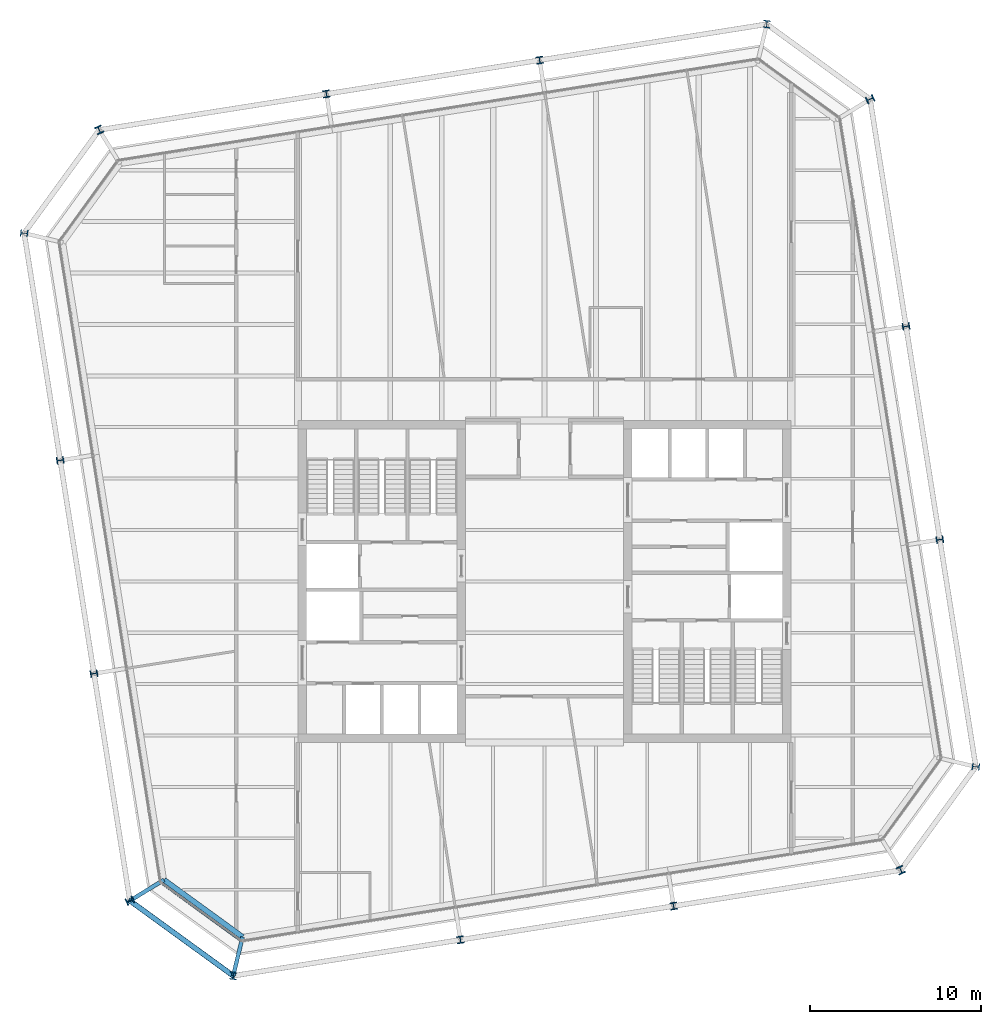
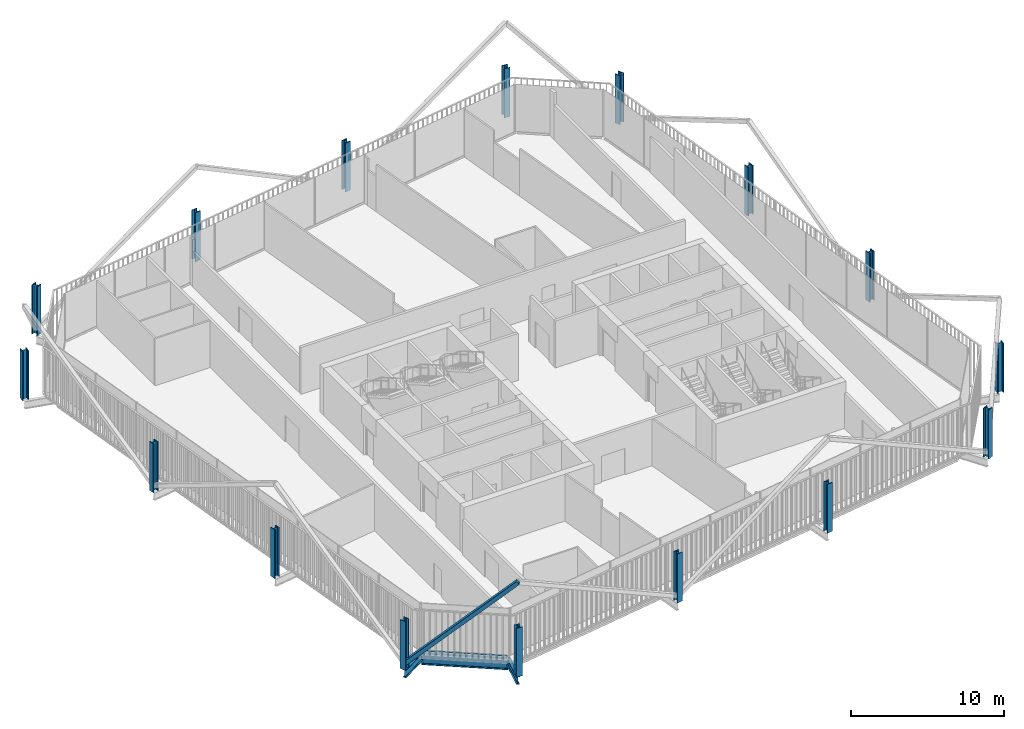
# One storey, part 1 of 21: 16 columns, 3 beams, 2 members, 1 element without a shape of its own.
"""IFC4 building model written with IfcOpenShell, lengths in metres."""

from ifc_helpers import new_model, si_unit, direction, frame, origin, origin_2d, place, context, subcontext, project, spatial, rectangle, hollow_rectangle, i_section, extrude, material, layer, layer_set, material_profile, profile_set, type_object, element, aggregate, save


model = new_model("IFC4")

# Units and contexts
model_context = context("Model", 3, precision=1e-05, world=origin(), true_north=direction((0.0, 1.0)))
body_context = subcontext(model_context, "Body", "Model", "MODEL_VIEW")
ifc_project = project(units=[si_unit("LENGTHUNIT", "METRE"), si_unit("AREAUNIT", "SQUARE_METRE"), si_unit("VOLUMEUNIT", "CUBIC_METRE"), si_unit("PLANEANGLEUNIT", "RADIAN"), si_unit("MASSUNIT", "GRAM", prefix="KILO")], contexts=[model_context])

# Site, building, storey
site_placement = place(None, origin())
site = spatial("IfcSite", under=ifc_project, at=site_placement, CompositionType="ELEMENT")
building_placement = place(site_placement, origin())
building = spatial("IfcBuilding", under=site, at=building_placement, Name="Millrace Tower", CompositionType="ELEMENT")
storey_placement = place(building_placement, frame((0.0, 0.0, 255.199951171875)))
storey = spatial("IfcBuildingStorey", under=building, at=storey_placement, Name="L58", CompositionType="ELEMENT", Elevation=255.199951171875)

# Columns
ifc_material_1 = material(Name="Steel ASTM A913 Grade 65", Category="steel")
ifc_material_profile_1 = material_profile(ifc_material_1, i_section(OverallWidth=0.408935546875, OverallDepth=0.424072265625, WebThickness=0.03271484375, FlangeThickness=0.052490234375, FilletRadius=0.01513671875, at=origin_2d()))
ifc_profile_set_1 = profile_set([ifc_material_profile_1], Name="Steel ASTM A913 Grade 65")
column_type_1 = type_object("IfcColumnType", Name="Exoskeleton column W14x283", PredefinedType="COLUMN", material=ifc_profile_set_1)
for number, where, z_axis, x_axis, name in (
    (1, (-4.91162109375, -20.927734375, 0.0), (0.0, 0.0, 1.0), (0.987688341035, 0.156434462265, 0.0), "COL-D-L58-X03"),
    (2, (7.533203125, -18.956787109375, 0.0), (0.0, 0.0, 1.0), (0.987688341035, 0.156434462265, 0.0), "COL-D-L58-X04"),
    (3, (23.07763671875, 2.4384765625, 0.0), (0.0, 0.0, 1.0), (-0.156434462265, 0.987688341035, 0.0), "COL-D-L58-X07"),
    (4, (21.106689453125, 14.88330078125, 0.0), (0.0, 0.0, 1.0), (-0.156434462265, 0.987688341035, 0.0), "COL-D-L58-X08"),
    (5, (-0.288330078125, 30.427734375, 0.0), (0.0, 0.0, 1.0), (-0.987688341035, -0.156434462265, 0.0), "COL-D-L58-X11"),
    (6, (-12.7333984375, 28.456787109375, 0.0), (0.0, 0.0, 1.0), (-0.987688341035, -0.156434462265, 0.0), "COL-D-L58-X12"),
    (7, (-28.27783203125, 7.0615234375, 0.0), (0.0, 0.0, 1.0), (0.156434462265, -0.987688341035, 0.0), "COL-D-L58-X15"),
    (8, (-26.306640625, -5.38330078125, 0.0), (0.0, 0.0, 1.0), (0.156434462265, -0.987688341035, 0.0), "COL-D-L58-X16"),
):
    element("IfcColumn", number, at=place(storey_placement, frame(where, z_axis=z_axis, x_axis=x_axis)), inside=storey, type_object=column_type_1, Name=name, PredefinedType="COLUMN", context=body_context, shape_type="SweptSolid", body=[
        extrude(i_section(OverallWidth=0.408935546875, OverallDepth=0.424072265625, WebThickness=0.03271484375, FlangeThickness=0.052490234375, FilletRadius=0.01513671875, at=origin_2d()), origin(), (0.0, 0.0, 1.0), 3.900146484375),
    ])
ifc_material_2 = material(Name="Steel ASTM A913 Grade 65", Category="steel")
ifc_material_profile_2 = material_profile(ifc_material_2, i_section(OverallWidth=0.41650390625, OverallDepth=0.444580078125, WebThickness=0.0390625, FlangeThickness=0.062744140625, FilletRadius=0.01513671875, at=origin_2d()))
ifc_profile_set_2 = profile_set([ifc_material_profile_2], Name="Steel ASTM A913 Grade 65")
column_type_2 = type_object("IfcColumnType", Name="Exoskeleton column W14x342", PredefinedType="COLUMN", material=ifc_profile_set_2)
for number, where, z_axis, x_axis, name in (
    (9, (-24.2060546875, -18.646484375, 0.0), (0.0, 0.0, 1.0), (0.418552981224, -0.908192381552, 0.0), "COL-D-L58-X01"),
    (10, (-18.174560546875, -23.0283203125, 0.0), (0.0, 0.0, 1.0), (0.993082267365, -0.117420655103, 0.0), "COL-D-L58-X02"),
    (11, (20.79638671875, -16.85595703125, 0.0), (0.0, 0.0, 1.0), (0.908192381552, 0.418552981224, 0.0), "COL-D-L58-X05"),
    (12, (25.178466796875, -10.82470703125, 0.0), (0.0, 0.0, 1.0), (0.117420655103, 0.993082267365, 0.0), "COL-D-L58-X06"),
    (13, (19.006103515625, 28.146484375, 0.0), (0.0, 0.0, 1.0), (-0.418552981224, 0.908192381552, 0.0), "COL-D-L58-X09"),
    (14, (12.974609375, 32.5283203125, 0.0), (0.0, 0.0, 1.0), (-0.993082267365, 0.117420655103, 0.0), "COL-D-L58-X10"),
    (15, (-25.996337890625, 26.35595703125, 0.0), (0.0, 0.0, 1.0), (-0.908192381552, -0.418552981224, 0.0), "COL-D-L58-X13"),
    (16, (-30.37841796875, 20.32470703125, 0.0), (0.0, 0.0, 1.0), (-0.117420655103, -0.993082267365, 0.0), "COL-D-L58-X14"),
):
    element("IfcColumn", number, at=place(storey_placement, frame(where, z_axis=z_axis, x_axis=x_axis)), inside=storey, type_object=column_type_2, Name=name, PredefinedType="COLUMN", context=body_context, shape_type="SweptSolid", body=[
        extrude(i_section(OverallWidth=0.41650390625, OverallDepth=0.444580078125, WebThickness=0.0390625, FlangeThickness=0.062744140625, FilletRadius=0.01513671875, at=origin_2d()), origin(), (0.0, 0.0, 1.0), 3.900146484375),
    ])

# Curtain wall, member
ifc_material_3 = material(Name="Aluminium and glass", Category="aluminium")
ifc_layer = layer(ifc_material_3, 0.14990234375)
ifc_layer_set = layer_set([ifc_layer], Name="Aluminium and glass")
curtain_wall_type = type_object("IfcCurtainWallType", Name="CW-1 office vision curtain wall", PredefinedType="NOTDEFINED", material=ifc_layer_set)
curtain_wall_placement = place(storey_placement, origin())
curtain_wall = element("IfcCurtainWall", 17, at=curtain_wall_placement, inside=storey, type_object=curtain_wall_type, Name="Curtain wall D-F01 L58", PredefinedType="NOTDEFINED")
ifc_material_4 = material(Name="Aluminium", Category="aluminium")
ifc_material_profile_3 = material_profile(ifc_material_4, rectangle(XDim=0.14990234375, YDim=0.139892578125, at=origin_2d()))
ifc_profile_set_3 = profile_set([ifc_material_profile_3], Name="Aluminium")
member_type_1 = type_object("IfcMemberType", Name="CW-1 office vision curtain wall transom", PredefinedType="USERDEFINED", material=ifc_profile_set_3)
member_1_placement = place(storey_placement, frame((-22.323486328125, -17.634765625, 0.070068359375), z_axis=(0.809033935994, -0.587761933448, 0.0), x_axis=(0.587761933448, 0.809033935994, 0.0)))
member_1 = element("IfcMember", 18, at=member_1_placement, type_object=member_type_1, Name="CW1 transom D-F01.1", ObjectType="TRANSOM", PredefinedType="USERDEFINED", context=body_context, shape_type="SweptSolid", body=[
    extrude(rectangle(XDim=0.14990234375, YDim=0.139892578125, at=origin_2d()), origin(), (0.0, 0.0, 1.0), 5.598388671875),
])
aggregate(curtain_wall, [member_1])

# Member
ifc_material_5 = material(Name="Steel ASTM A500 Grade C", Category="steel")
ifc_material_profile_4 = material_profile(ifc_material_5, hollow_rectangle(XDim=0.3046875, YDim=0.3046875, WallThickness=0.009521484375, InnerFilletRadius=0.004638671875, OuterFilletRadius=0.014404296875, at=origin_2d()))
ifc_profile_set_4 = profile_set([ifc_material_profile_4], Name="Steel ASTM A500 Grade C")
member_type_2 = type_object("IfcMemberType", Name="Exoskeleton brace HSS12x12x3/8", PredefinedType="BRACE", material=ifc_profile_set_4)
member_2_placement = place(storey_placement, frame((-24.2060546875, -18.646484375, 0.400146484375), z_axis=(0.589795997835, -0.428482435505, 0.684502361867), x_axis=(0.587758820843, 0.809036197288, 0.0)))
element("IfcMember", 19, at=member_2_placement, inside=storey, type_object=member_type_2, Name="BRC-D-L58-01", PredefinedType="BRACE", context=body_context, shape_type="SweptSolid", body=[
    extrude(hollow_rectangle(XDim=0.3046875, YDim=0.3046875, WallThickness=0.009521484375, InnerFilletRadius=0.004638671875, OuterFilletRadius=0.014404296875, at=origin_2d()), origin(), (0.0, 0.0, 1.0), 10.226318359375),
])

# Beams
ifc_material_6 = material(Name="Steel ASTM A992 Grade 50", Category="steel")
ifc_material_profile_5 = material_profile(ifc_material_6, i_section(OverallWidth=0.23046875, OverallDepth=0.6171875, WebThickness=0.01318359375, FlangeThickness=0.022216796875, FilletRadius=0.012939453125, at=origin_2d()))
ifc_profile_set_5 = profile_set([ifc_material_profile_5], Name="Steel ASTM A992 Grade 50")
beam_type_1 = type_object("IfcBeamType", Name="Link beam W24x94", PredefinedType="BEAM", material=ifc_profile_set_5)
for number, where, z_axis, x_axis, name in (
    (20, (-22.218505859375, -17.428466796875, -0.468505859375), (-0.852631355792, -0.522512938711, 0.0), (0.522512938711, -0.852631355792, 0.0), "LNK-D-L58-S1-01"),
    (21, (-17.63037109375, -20.76171875, -0.468505859375), (-0.233456138164, -0.972367333652, 0.0), (0.972367333652, -0.233456138164, 0.0), "LNK-D-L58-S1-16"),
):
    element("IfcBeam", number, at=place(storey_placement, frame(where, z_axis=z_axis, x_axis=x_axis)), inside=storey, type_object=beam_type_1, Name=name, PredefinedType="BEAM", context=body_context, shape_type="SweptSolid", body=[
        extrude(i_section(OverallWidth=0.23046875, OverallDepth=0.6171875, WebThickness=0.01318359375, FlangeThickness=0.022216796875, FilletRadius=0.012939453125, at=origin_2d()), origin(), (0.0, 0.0, 1.0), 2.3310546875),
    ])
ifc_material_7 = material(Name="Steel ASTM A992 Grade 50", Category="steel")
ifc_material_profile_6 = material_profile(ifc_material_7, i_section(OverallWidth=0.307373046875, OverallDepth=0.927001953125, WebThickness=0.01953125, FlangeThickness=0.031982421875, FilletRadius=0.01904296875, at=origin_2d()))
ifc_profile_set_6 = profile_set([ifc_material_profile_6], Name="Steel ASTM A992 Grade 50")
beam_type_2 = type_object("IfcBeamType", Name="Ring beam short span W36x194", PredefinedType="SPANDREL", material=ifc_profile_set_6)
beam_placement = place(storey_placement, frame((-17.63037109375, -20.76171875, -0.62353515625), z_axis=(-0.809035699289, 0.587759506326, 0.0), x_axis=(-0.587759506326, -0.809035699289, 0.0)))
element("IfcBeam", 22, at=beam_placement, inside=storey, type_object=beam_type_2, Name="RNG-D-L58-S1-16", PredefinedType="SPANDREL", context=body_context, shape_type="SweptSolid", body=[
    extrude(i_section(OverallWidth=0.307373046875, OverallDepth=0.927001953125, WebThickness=0.01953125, FlangeThickness=0.031982421875, FilletRadius=0.01904296875, at=origin_2d()), origin(), (0.0, 0.0, 1.0), 5.671142578125),
])

save(model, "model.ifc")
